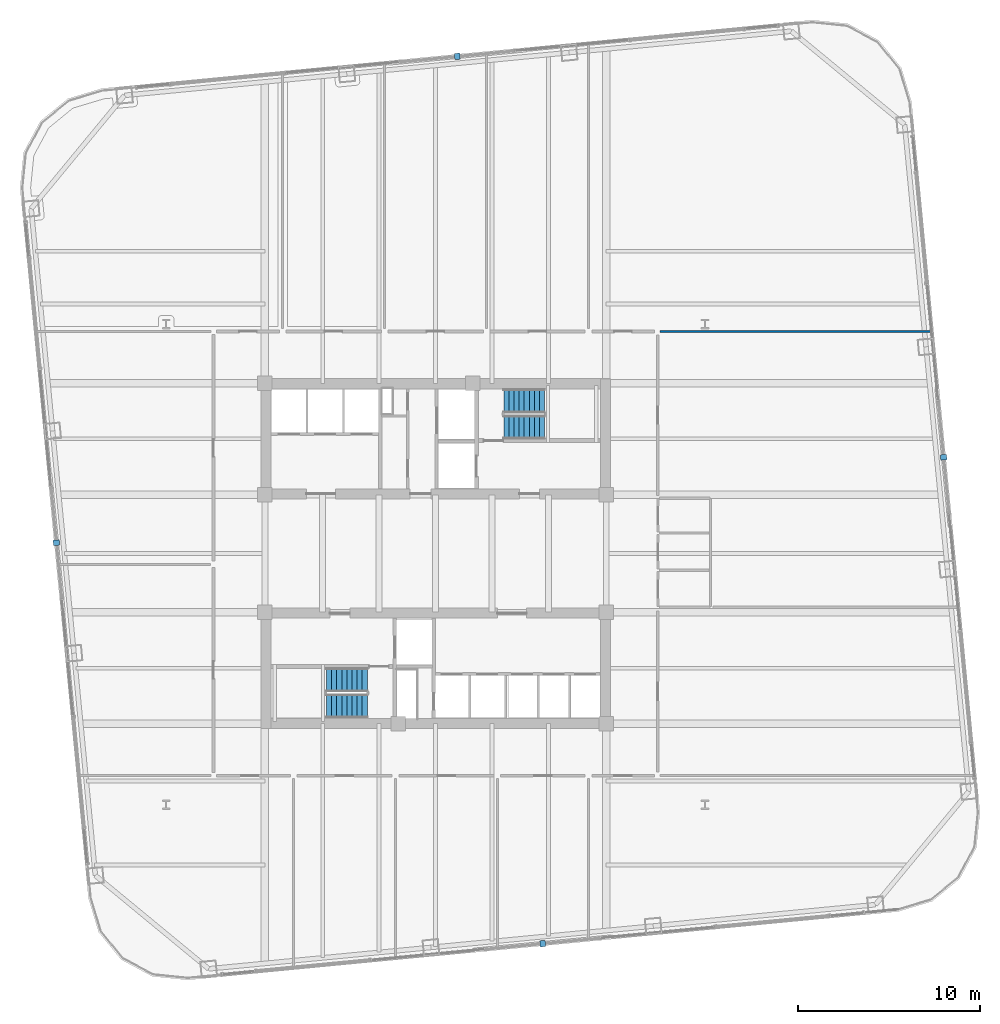
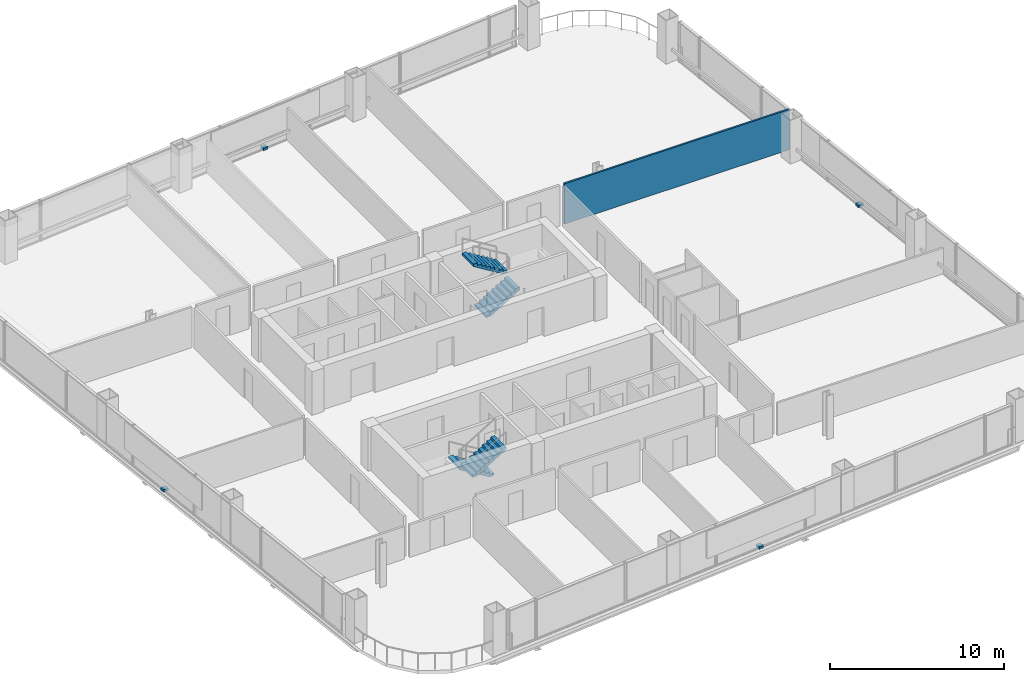
# One storey, part 31 of 34: 4 discrete accessories, 4 stair flights, 1 wall, 2 elements without a shape of their own.
"""IFC4 building model written with IfcOpenShell, lengths in metres."""

from ifc_helpers import new_model, si_unit, direction, frame, frame_2d, origin, origin_2d, place, context, subcontext, project, spatial, polyline, rectangle, outline, extrude, material, layer, layer_set, type_object, element, aggregate, save


model = new_model("IFC4")

# Units and contexts
model_context = context("Model", 3, precision=1e-05, world=origin(), true_north=direction((0.0, 1.0)))
body_context = subcontext(model_context, "Body", "Model", "MODEL_VIEW")
ifc_project = project(units=[si_unit("LENGTHUNIT", "METRE"), si_unit("AREAUNIT", "SQUARE_METRE"), si_unit("VOLUMEUNIT", "CUBIC_METRE"), si_unit("PLANEANGLEUNIT", "RADIAN"), si_unit("MASSUNIT", "GRAM", prefix="KILO")], contexts=[model_context])

# Site, building, storey
site_placement = place(None, origin())
site = spatial("IfcSite", under=ifc_project, at=site_placement, CompositionType="ELEMENT")
building_placement = place(site_placement, origin())
building = spatial("IfcBuilding", under=site, at=building_placement, Name="Qhalaya Broadcast Tower", CompositionType="ELEMENT")
storey_placement = place(building_placement, frame((0.0, 0.0, 78.60009765625)))
storey = spatial("IfcBuildingStorey", under=building, at=storey_placement, Name="L22", CompositionType="ELEMENT", Elevation=78.60009765625)

# Wall
ifc_material_1 = material(Name="Gypsum Acoustic Partition")
ifc_layer = layer(ifc_material_1, 0.1201171875, Name="Gypsum Acoustic Partition")
ifc_layer_set = layer_set([ifc_layer], Name="Gypsum Acoustic Partition")
wall_type = type_object("IfcWallType", Name="Office, Booth & Sanitary Partition 120", PredefinedType="PARTITIONING", material=ifc_layer_set)
wall_placement = place(storey_placement, frame((12.340087890625, 12.800048828125, 0.0), z_axis=(0.0, 0.0, 1.0), x_axis=(1.0, 0.0, 0.0)))
element("IfcWall", 1, at=wall_placement, inside=storey, type_object=wall_type, Name="L22 Partition Wall W-BNDE1", PredefinedType="PARTITIONING", context=body_context, shape_type="SweptSolid", body=[
    extrude(rectangle(XDim=14.901611328125, YDim=0.1201171875, at=frame_2d((7.45068359375, 0.0))), origin(), (0.0, 0.0, 1.0), 2.829833984375),
])

# Stair, stair flights
ifc_material_2 = material(Name="Concrete C40/50", Category="concrete")
stair_type = type_object("IfcStairType", Name="Protected Dogleg Core Stair 3150", PredefinedType="TWO_STRAIGHT_RUN_STAIR", material=ifc_material_2)
stair_1_placement = place(storey_placement, origin())
stair_1 = element("IfcStair", 2, at=stair_1_placement, inside=storey, type_object=stair_type, Name="L22 North Core Exit Stair ST-1", PredefinedType="TWO_STRAIGHT_RUN_STAIR")
ifc_material_3 = material(Name="Precast Concrete C40/50", Category="concrete")
stair_flight_type = type_object("IfcStairFlightType", Name="Precast Concrete Stair Flight 3150", PredefinedType="STRAIGHT", material=ifc_material_3)
stair_flight_1_placement = place(storey_placement, frame((3.75, 7.5400390625, 0.0), z_axis=(0.0, 0.0, 1.0), x_axis=(1.0, 0.0, 0.0)))
stair_flight_1 = element("IfcStairFlight", 3, at=stair_flight_1_placement, type_object=stair_flight_type, Name="ST-1 flight 1", NumberOfRisers=9, NumberOfTreads=8, PredefinedType="STRAIGHT", RiserHeight=0.169444444, TreadLength=0.28, context=body_context, shape_type="SweptSolid", body=[
    extrude(outline(polyline([(0.0, 0.0), (0.0, 0.16943359375), (0.280029296875, 0.16943359375), (0.280029296875, 0.3388671875), (0.56005859375, 0.3388671875), (0.56005859375, 0.50830078125), (0.840087890625, 0.50830078125), (0.840087890625, 0.677734375), (1.1201171875, 0.677734375), (1.1201171875, 0.84716796875), (1.39990234375, 0.84716796875), (1.39990234375, 1.0166015625), (1.679931640625, 1.0166015625), (1.679931640625, 1.18603515625), (1.9599609375, 1.18603515625), (1.9599609375, 1.35546875), (2.239990234375, 1.35546875), (2.239990234375, 1.52490234375), (2.239990234375, 1.180419921875), (0.28955078125, 0.0), (0.0, 0.0)])), frame((0.0, 0.66015625, 0.0), z_axis=(0.0, -1.0, 0.0), x_axis=(1.0, 0.0, 0.0)), (0.0, 0.0, 1.0), 1.320068359375),
])
stair_flight_2_placement = place(storey_placement, frame((5.989990234375, 8.97998046875, 1.52490234375), z_axis=(0.0, 0.0, 1.0), x_axis=(-1.0, 0.0, 0.0)))
stair_flight_2 = element("IfcStairFlight", 4, at=stair_flight_2_placement, type_object=stair_flight_type, Name="ST-1 flight 2", NumberOfRisers=9, NumberOfTreads=8, PredefinedType="STRAIGHT", RiserHeight=0.169444444, TreadLength=0.28, context=body_context, shape_type="SweptSolid", body=[
    extrude(outline(polyline([(0.0, 0.0), (0.0, 0.16943359375), (0.280029296875, 0.16943359375), (0.280029296875, 0.3388671875), (0.56005859375, 0.3388671875), (0.56005859375, 0.50830078125), (0.840087890625, 0.50830078125), (0.840087890625, 0.677734375), (1.1201171875, 0.677734375), (1.1201171875, 0.84716796875), (1.39990234375, 0.84716796875), (1.39990234375, 1.0166015625), (1.679931640625, 1.0166015625), (1.679931640625, 1.18603515625), (1.9599609375, 1.18603515625), (1.9599609375, 1.35546875), (2.239990234375, 1.35546875), (2.239990234375, 1.52490234375), (2.239990234375, 1.180419921875), (0.28955078125, 0.0), (0.0, 0.0)])), frame((0.0, 0.66015625, 0.0), z_axis=(0.0, -1.0, 0.0), x_axis=(1.0, 0.0, 0.0)), (0.0, 0.0, 1.0), 1.320068359375),
])
aggregate(stair_1, [stair_flight_1, stair_flight_2])

stair_2_placement = place(storey_placement, origin())
stair_2 = element("IfcStair", 5, at=stair_2_placement, inside=storey, type_object=stair_type, Name="L22 South Core Exit Stair ST-2", PredefinedType="TWO_STRAIGHT_RUN_STAIR")
stair_flight_3_placement = place(storey_placement, frame((-3.75, -6.340087890625, 0.0), z_axis=(0.0, 0.0, 1.0), x_axis=(-1.0, 0.0, 0.0)))
stair_flight_3 = element("IfcStairFlight", 6, at=stair_flight_3_placement, type_object=stair_flight_type, Name="ST-2 flight 1", NumberOfRisers=9, NumberOfTreads=8, PredefinedType="STRAIGHT", RiserHeight=0.169444444, TreadLength=0.28, context=body_context, shape_type="SweptSolid", body=[
    extrude(outline(polyline([(0.0, 0.0), (0.0, 0.16943359375), (0.280029296875, 0.16943359375), (0.280029296875, 0.3388671875), (0.56005859375, 0.3388671875), (0.56005859375, 0.50830078125), (0.840087890625, 0.50830078125), (0.840087890625, 0.677734375), (1.1201171875, 0.677734375), (1.1201171875, 0.84716796875), (1.39990234375, 0.84716796875), (1.39990234375, 1.0166015625), (1.679931640625, 1.0166015625), (1.679931640625, 1.18603515625), (1.9599609375, 1.18603515625), (1.9599609375, 1.35546875), (2.239990234375, 1.35546875), (2.239990234375, 1.52490234375), (2.239990234375, 1.180419921875), (0.28955078125, 0.0), (0.0, 0.0)])), frame((0.0, 0.66015625, 0.0), z_axis=(0.0, -1.0, 0.0), x_axis=(1.0, 0.0, 0.0)), (0.0, 0.0, 1.0), 1.320068359375),
])
stair_flight_4_placement = place(storey_placement, frame((-5.989990234375, -7.780029296875, 1.52490234375), z_axis=(0.0, 0.0, 1.0), x_axis=(1.0, 0.0, 0.0)))
stair_flight_4 = element("IfcStairFlight", 7, at=stair_flight_4_placement, type_object=stair_flight_type, Name="ST-2 flight 2", NumberOfRisers=9, NumberOfTreads=8, PredefinedType="STRAIGHT", RiserHeight=0.169444444, TreadLength=0.28, context=body_context, shape_type="SweptSolid", body=[
    extrude(outline(polyline([(0.0, 0.0), (0.0, 0.16943359375), (0.280029296875, 0.16943359375), (0.280029296875, 0.3388671875), (0.56005859375, 0.3388671875), (0.56005859375, 0.50830078125), (0.840087890625, 0.50830078125), (0.840087890625, 0.677734375), (1.1201171875, 0.677734375), (1.1201171875, 0.84716796875), (1.39990234375, 0.84716796875), (1.39990234375, 1.0166015625), (1.679931640625, 1.0166015625), (1.679931640625, 1.18603515625), (1.9599609375, 1.18603515625), (1.9599609375, 1.35546875), (2.239990234375, 1.35546875), (2.239990234375, 1.52490234375), (2.239990234375, 1.180419921875), (0.28955078125, 0.0), (0.0, 0.0)])), frame((0.0, 0.66015625, 0.0), z_axis=(0.0, -1.0, 0.0), x_axis=(1.0, 0.0, 0.0)), (0.0, 0.0, 1.0), 1.320068359375),
])
aggregate(stair_2, [stair_flight_3, stair_flight_4])

# Discrete accessories
ifc_material_4 = material(Name="Structural Steel ASTM A572 Grade 50", Category="steel")
discrete_accessory_type = type_object("IfcDiscreteAccessoryType", Name="Facade Baguette Support Bracket BRK-01", PredefinedType="BRACKET", material=ifc_material_4)
for number, where, z_axis, x_axis, name in (
    (8, (5.88623046875, -20.827392578125, 0.0), (0.0, 0.0, 1.0), (0.995396198367, 0.09584575252, 0.0), "L22 Baguette Support Bracket S"),
    (9, (27.9072265625, 5.88623046875, 0.0), (0.0, 0.0, 1.0), (-0.09584575252, 0.995396198367, 0.0), "L22 Baguette Support Bracket E"),
    (10, (1.193603515625, 27.9072265625, 0.0), (0.0, 0.0, 1.0), (-0.995396198367, -0.09584575252, 0.0), "L22 Baguette Support Bracket N"),
    (11, (-20.827392578125, 1.193603515625, 0.0), (0.0, 0.0, 1.0), (0.09584575252, -0.995396198367, 0.0), "L22 Baguette Support Bracket W"),
):
    element("IfcDiscreteAccessory", number, at=place(storey_placement, frame(where, z_axis=z_axis, x_axis=x_axis)), inside=storey, type_object=discrete_accessory_type, Name=name, PredefinedType="BRACKET", context=body_context, shape_type="SweptSolid", body=[
        extrude(rectangle(XDim=0.300048828125, YDim=0.340087890625, at=origin_2d()), origin(), (0.0, 0.0, 1.0), 0.159912109375),
    ])

save(model, "model.ifc")
